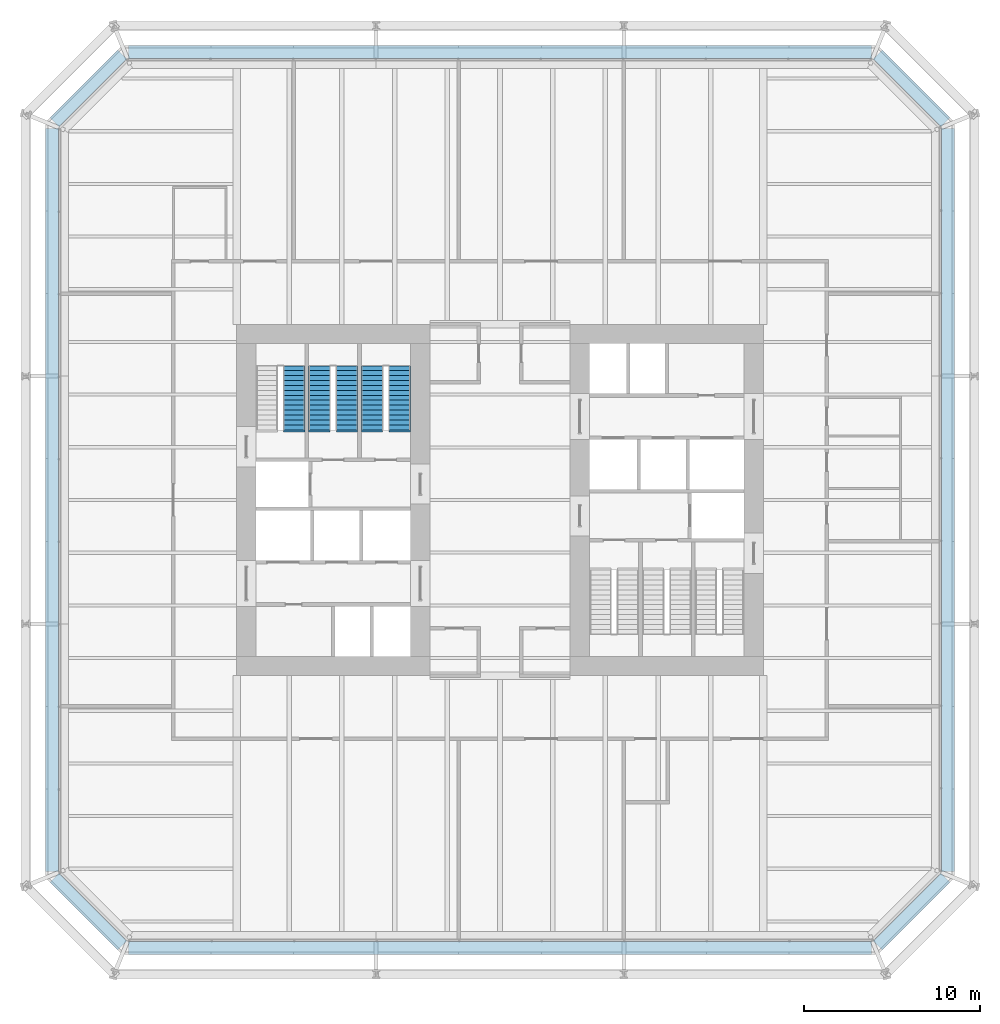
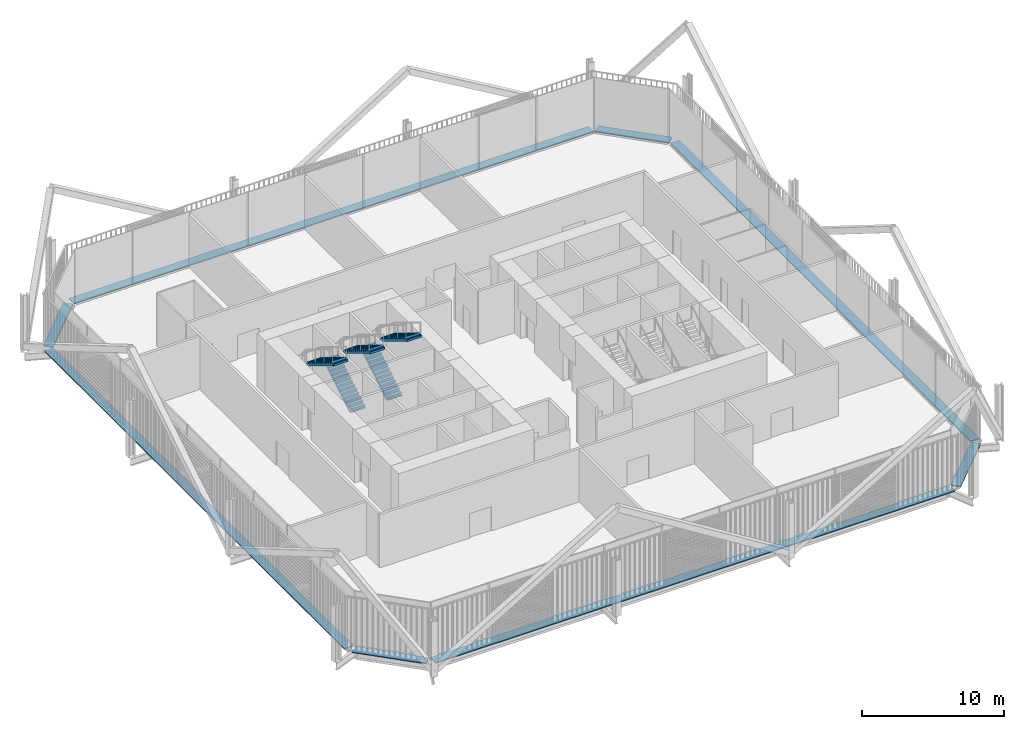
# One storey, part 21 of 22: 8 discrete accessories, 5 stair flights, 3 elements without a shape of their own.
"""IFC4 building model written with IfcOpenShell, lengths in metres."""

from ifc_helpers import new_model, si_unit, direction, frame, origin, origin_2d, place, context, subcontext, project, spatial, polyline, rectangle, outline, extrude, material, type_object, element, aggregate, save


model = new_model("IFC4")

# Units and contexts
model_context = context("Model", 3, precision=1e-05, world=origin(), true_north=direction((0.0, 1.0)))
body_context = subcontext(model_context, "Body", "Model", "MODEL_VIEW")
ifc_project = project(units=[si_unit("LENGTHUNIT", "METRE"), si_unit("AREAUNIT", "SQUARE_METRE"), si_unit("VOLUMEUNIT", "CUBIC_METRE"), si_unit("PLANEANGLEUNIT", "RADIAN"), si_unit("MASSUNIT", "GRAM", prefix="KILO")], contexts=[model_context])

# Site, building, storey
site_placement = place(None, origin())
site = spatial("IfcSite", under=ifc_project, at=site_placement, CompositionType="ELEMENT")
building_placement = place(site_placement, origin())
building = spatial("IfcBuilding", under=site, at=building_placement, Name="Millrace Tower", CompositionType="ELEMENT")
storey_placement = place(building_placement, frame((0.0, 0.0, 44.89990234375)))
storey = spatial("IfcBuildingStorey", under=building, at=storey_placement, Name="L10", CompositionType="ELEMENT", Elevation=44.89990234375)

# Stair, stair flight
ifc_material_1 = material(Name="Concrete C35", Category="concrete")
stair_type = type_object("IfcStairType", Name="Exit stair", PredefinedType="HALF_TURN_STAIR", material=ifc_material_1)
placement = place(storey_placement, origin())
stair_1 = element("IfcStair", 1, at=placement, inside=storey, type_object=stair_type, Name="Stair 1 W L10", PredefinedType="HALF_TURN_STAIR")
ifc_material_2 = material(Name="Concrete C35", Category="concrete")
stair_flight_type = type_object("IfcStairFlightType", Name="Exit stair flight", PredefinedType="STRAIGHT", material=ifc_material_2)
stair_flight_1_placement = place(storey_placement, frame((-11.7099609375, 7.639892578125, 2.400146484375), z_axis=(0.0, 0.0, 1.0), x_axis=(0.0, -1.0, 0.0)))
stair_flight_1 = element("IfcStairFlight", 2, at=stair_flight_1_placement, type_object=stair_flight_type, Name="ST12 flight 2", NumberOfRisers=14, NumberOfTreads=13, PredefinedType="STRAIGHT", RiserHeight=0.171428571, TreadLength=0.28, context=body_context, shape_type="SweptSolid", body=[
    extrude(outline(polyline([(-0.1201171875, -0.0400390625), (-0.1201171875, 0.0), (0.0, 0.0), (0.0, 0.17138671875), (0.280029296875, 0.17138671875), (0.280029296875, 0.3427734375), (0.56005859375, 0.3427734375), (0.56005859375, 0.514404296875), (0.840087890625, 0.514404296875), (0.840087890625, 0.685791015625), (1.1201171875, 0.685791015625), (1.1201171875, 0.857177734375), (1.39990234375, 0.857177734375), (1.39990234375, 1.028564453125), (1.679931640625, 1.028564453125), (1.679931640625, 1.199951171875), (1.9599609375, 1.199951171875), (1.9599609375, 1.371337890625), (2.239990234375, 1.371337890625), (2.239990234375, 1.54296875), (2.52001953125, 1.54296875), (2.52001953125, 1.71435546875), (2.800048828125, 1.71435546875), (2.800048828125, 1.8857421875), (3.080078125, 1.8857421875), (3.080078125, 2.05712890625), (3.360107421875, 2.05712890625), (3.360107421875, 2.228515625), (3.639892578125, 2.228515625), (3.639892578125, 2.24853515625), (3.760009765625, 2.24853515625), (3.760009765625, 2.052734375), (3.639892578125, 2.052734375), (0.287109375, 0.0), (0.287109375, -0.0400390625), (-0.1201171875, -0.0400390625)])), frame((0.0, 0.60986328125, 0.0), z_axis=(0.0, -1.0, 0.0), x_axis=(1.0, 0.0, 0.0)), (0.0, 0.0, 1.0), 1.219970703125),
])
aggregate(stair_1, [stair_flight_1])

# Stair, stair flights
stair_2 = element("IfcStair", 3, at=placement, inside=storey, type_object=stair_type, Name="Stair 2 W L10", PredefinedType="HALF_TURN_STAIR")
stair_flight_2_placement = place(storey_placement, frame((-10.2900390625, 4.0, 0.0), z_axis=(0.0, 0.0, 1.0), x_axis=(0.0, 1.0, 0.0)))
stair_flight_2 = element("IfcStairFlight", 4, at=stair_flight_2_placement, type_object=stair_flight_type, Name="ST12 flight 1", NumberOfRisers=14, NumberOfTreads=13, PredefinedType="STRAIGHT", RiserHeight=0.171428571, TreadLength=0.28, context=body_context, shape_type="SweptSolid", body=[
    extrude(outline(polyline([(-0.1201171875, -0.0400390625), (-0.1201171875, 0.0), (0.0, 0.0), (0.0, 0.17138671875), (0.280029296875, 0.17138671875), (0.280029296875, 0.3427734375), (0.56005859375, 0.3427734375), (0.56005859375, 0.514404296875), (0.840087890625, 0.514404296875), (0.840087890625, 0.685791015625), (1.1201171875, 0.685791015625), (1.1201171875, 0.857177734375), (1.39990234375, 0.857177734375), (1.39990234375, 1.028564453125), (1.679931640625, 1.028564453125), (1.679931640625, 1.199951171875), (1.9599609375, 1.199951171875), (1.9599609375, 1.371337890625), (2.239990234375, 1.371337890625), (2.239990234375, 1.54296875), (2.52001953125, 1.54296875), (2.52001953125, 1.71435546875), (2.800048828125, 1.71435546875), (2.800048828125, 1.8857421875), (3.080078125, 1.8857421875), (3.080078125, 2.05712890625), (3.360107421875, 2.05712890625), (3.360107421875, 2.228515625), (3.639892578125, 2.228515625), (3.639892578125, 2.24853515625), (3.760009765625, 2.24853515625), (3.760009765625, 2.052734375), (3.639892578125, 2.052734375), (0.287109375, 0.0), (0.287109375, -0.0400390625), (-0.1201171875, -0.0400390625)])), frame((0.0, 0.60986328125, 0.0), z_axis=(0.0, -1.0, 0.0), x_axis=(1.0, 0.0, 0.0)), (0.0, 0.0, 1.0), 1.219970703125),
])
stair_flight_3_placement = place(storey_placement, frame((-8.7099609375, 7.639892578125, 2.400146484375), z_axis=(0.0, 0.0, 1.0), x_axis=(0.0, -1.0, 0.0)))
stair_flight_3 = element("IfcStairFlight", 5, at=stair_flight_3_placement, type_object=stair_flight_type, Name="ST12 flight 2", NumberOfRisers=14, NumberOfTreads=13, PredefinedType="STRAIGHT", RiserHeight=0.171428571, TreadLength=0.28, context=body_context, shape_type="SweptSolid", body=[
    extrude(outline(polyline([(-0.1201171875, -0.0400390625), (-0.1201171875, 0.0), (0.0, 0.0), (0.0, 0.17138671875), (0.280029296875, 0.17138671875), (0.280029296875, 0.3427734375), (0.56005859375, 0.3427734375), (0.56005859375, 0.514404296875), (0.840087890625, 0.514404296875), (0.840087890625, 0.685791015625), (1.1201171875, 0.685791015625), (1.1201171875, 0.857177734375), (1.39990234375, 0.857177734375), (1.39990234375, 1.028564453125), (1.679931640625, 1.028564453125), (1.679931640625, 1.199951171875), (1.9599609375, 1.199951171875), (1.9599609375, 1.371337890625), (2.239990234375, 1.371337890625), (2.239990234375, 1.54296875), (2.52001953125, 1.54296875), (2.52001953125, 1.71435546875), (2.800048828125, 1.71435546875), (2.800048828125, 1.8857421875), (3.080078125, 1.8857421875), (3.080078125, 2.05712890625), (3.360107421875, 2.05712890625), (3.360107421875, 2.228515625), (3.639892578125, 2.228515625), (3.639892578125, 2.24853515625), (3.760009765625, 2.24853515625), (3.760009765625, 2.052734375), (3.639892578125, 2.052734375), (0.287109375, 0.0), (0.287109375, -0.0400390625), (-0.1201171875, -0.0400390625)])), frame((0.0, 0.60986328125, 0.0), z_axis=(0.0, -1.0, 0.0), x_axis=(1.0, 0.0, 0.0)), (0.0, 0.0, 1.0), 1.219970703125),
])
aggregate(stair_2, [stair_flight_2, stair_flight_3])

stair_3 = element("IfcStair", 6, at=placement, inside=storey, type_object=stair_type, Name="Stair 3 W L10", PredefinedType="HALF_TURN_STAIR")
stair_flight_4_placement = place(storey_placement, frame((-7.2900390625, 4.0, 0.0), z_axis=(0.0, 0.0, 1.0), x_axis=(0.0, 1.0, 0.0)))
stair_flight_4 = element("IfcStairFlight", 7, at=stair_flight_4_placement, type_object=stair_flight_type, Name="ST12 flight 1", NumberOfRisers=14, NumberOfTreads=13, PredefinedType="STRAIGHT", RiserHeight=0.171428571, TreadLength=0.28, context=body_context, shape_type="SweptSolid", body=[
    extrude(outline(polyline([(-0.1201171875, -0.0400390625), (-0.1201171875, 0.0), (0.0, 0.0), (0.0, 0.17138671875), (0.280029296875, 0.17138671875), (0.280029296875, 0.3427734375), (0.56005859375, 0.3427734375), (0.56005859375, 0.514404296875), (0.840087890625, 0.514404296875), (0.840087890625, 0.685791015625), (1.1201171875, 0.685791015625), (1.1201171875, 0.857177734375), (1.39990234375, 0.857177734375), (1.39990234375, 1.028564453125), (1.679931640625, 1.028564453125), (1.679931640625, 1.199951171875), (1.9599609375, 1.199951171875), (1.9599609375, 1.371337890625), (2.239990234375, 1.371337890625), (2.239990234375, 1.54296875), (2.52001953125, 1.54296875), (2.52001953125, 1.71435546875), (2.800048828125, 1.71435546875), (2.800048828125, 1.8857421875), (3.080078125, 1.8857421875), (3.080078125, 2.05712890625), (3.360107421875, 2.05712890625), (3.360107421875, 2.228515625), (3.639892578125, 2.228515625), (3.639892578125, 2.24853515625), (3.760009765625, 2.24853515625), (3.760009765625, 2.052734375), (3.639892578125, 2.052734375), (0.287109375, 0.0), (0.287109375, -0.0400390625), (-0.1201171875, -0.0400390625)])), frame((0.0, 0.60986328125, 0.0), z_axis=(0.0, -1.0, 0.0), x_axis=(1.0, 0.0, 0.0)), (0.0, 0.0, 1.0), 1.219970703125),
])
stair_flight_5_placement = place(storey_placement, frame((-5.7099609375, 7.639892578125, 2.400146484375), z_axis=(0.0, 0.0, 1.0), x_axis=(0.0, -1.0, 0.0)))
stair_flight_5 = element("IfcStairFlight", 8, at=stair_flight_5_placement, type_object=stair_flight_type, Name="ST12 flight 2", NumberOfRisers=14, NumberOfTreads=13, PredefinedType="STRAIGHT", RiserHeight=0.171428571, TreadLength=0.28, context=body_context, shape_type="SweptSolid", body=[
    extrude(outline(polyline([(-0.1201171875, -0.0400390625), (-0.1201171875, 0.0), (0.0, 0.0), (0.0, 0.17138671875), (0.280029296875, 0.17138671875), (0.280029296875, 0.3427734375), (0.56005859375, 0.3427734375), (0.56005859375, 0.514404296875), (0.840087890625, 0.514404296875), (0.840087890625, 0.685791015625), (1.1201171875, 0.685791015625), (1.1201171875, 0.857177734375), (1.39990234375, 0.857177734375), (1.39990234375, 1.028564453125), (1.679931640625, 1.028564453125), (1.679931640625, 1.199951171875), (1.9599609375, 1.199951171875), (1.9599609375, 1.371337890625), (2.239990234375, 1.371337890625), (2.239990234375, 1.54296875), (2.52001953125, 1.54296875), (2.52001953125, 1.71435546875), (2.800048828125, 1.71435546875), (2.800048828125, 1.8857421875), (3.080078125, 1.8857421875), (3.080078125, 2.05712890625), (3.360107421875, 2.05712890625), (3.360107421875, 2.228515625), (3.639892578125, 2.228515625), (3.639892578125, 2.24853515625), (3.760009765625, 2.24853515625), (3.760009765625, 2.052734375), (3.639892578125, 2.052734375), (0.287109375, 0.0), (0.287109375, -0.0400390625), (-0.1201171875, -0.0400390625)])), frame((0.0, 0.60986328125, 0.0), z_axis=(0.0, -1.0, 0.0), x_axis=(1.0, 0.0, 0.0)), (0.0, 0.0, 1.0), 1.219970703125),
])
aggregate(stair_3, [stair_flight_4, stair_flight_5])

# Discrete accessories
ifc_material_3 = material(Name="Stainless steel ASTM A240 type 316", Category="steel")
discrete_accessory_type = type_object("IfcDiscreteAccessoryType", Name="Thermally broken screen support rail", PredefinedType="BRACKET", material=ifc_material_3)
discrete_accessory_1_placement = place(storey_placement, frame((-23.435546875, -23.435546875, 0.0), z_axis=(0.0, 0.0, 1.0), x_axis=(0.707106781187, -0.707106781187, 0.0)))
element("IfcDiscreteAccessory", 9, at=discrete_accessory_1_placement, inside=storey, type_object=discrete_accessory_type, Name="Thermally broken screen support rail A-F01 L10 1", PredefinedType="BRACKET", context=body_context, shape_type="SweptSolid", body=[
    extrude(rectangle(XDim=5.44482421875, YDim=0.719970703125, at=origin_2d()), origin(), (0.0, 0.0, 1.0), 0.10009765625),
])
discrete_accessory_2_placement = place(storey_placement, frame((0.0, -25.510009765625, 0.0), z_axis=(0.0, 0.0, 1.0), x_axis=(1.0, 0.0, 0.0)))
element("IfcDiscreteAccessory", 10, at=discrete_accessory_2_placement, inside=storey, type_object=discrete_accessory_type, Name="Thermally broken screen support rail A-F02 L10 1", PredefinedType="BRACKET", context=body_context, shape_type="SweptSolid", body=[
    extrude(rectangle(XDim=42.300048828125, YDim=0.719970703125, at=origin_2d()), origin(), (0.0, 0.0, 1.0), 0.10009765625),
])
discrete_accessory_3_placement = place(storey_placement, frame((23.435546875, -23.435546875, 0.0), z_axis=(0.0, 0.0, 1.0), x_axis=(0.707106781187, 0.707106781187, 0.0)))
element("IfcDiscreteAccessory", 11, at=discrete_accessory_3_placement, inside=storey, type_object=discrete_accessory_type, Name="Thermally broken screen support rail A-F03 L10 1", PredefinedType="BRACKET", context=body_context, shape_type="SweptSolid", body=[
    extrude(rectangle(XDim=5.44482421875, YDim=0.719970703125, at=origin_2d()), origin(), (0.0, 0.0, 1.0), 0.10009765625),
])
discrete_accessory_4_placement = place(storey_placement, frame((25.510009765625, 0.0, 0.0), z_axis=(0.0, 0.0, 1.0), x_axis=(0.0, 1.0, 0.0)))
element("IfcDiscreteAccessory", 12, at=discrete_accessory_4_placement, inside=storey, type_object=discrete_accessory_type, Name="Thermally broken screen support rail A-F04 L10 1", PredefinedType="BRACKET", context=body_context, shape_type="SweptSolid", body=[
    extrude(rectangle(XDim=42.300048828125, YDim=0.719970703125, at=origin_2d()), origin(), (0.0, 0.0, 1.0), 0.10009765625),
])
discrete_accessory_5_placement = place(storey_placement, frame((23.435546875, 23.435546875, 0.0), z_axis=(0.0, 0.0, 1.0), x_axis=(-0.707106781187, 0.707106781187, 0.0)))
element("IfcDiscreteAccessory", 13, at=discrete_accessory_5_placement, inside=storey, type_object=discrete_accessory_type, Name="Thermally broken screen support rail A-F05 L10 1", PredefinedType="BRACKET", context=body_context, shape_type="SweptSolid", body=[
    extrude(rectangle(XDim=5.44482421875, YDim=0.719970703125, at=origin_2d()), origin(), (0.0, 0.0, 1.0), 0.10009765625),
])
discrete_accessory_6_placement = place(storey_placement, frame((0.0, 25.510009765625, 0.0), z_axis=(0.0, 0.0, 1.0), x_axis=(-1.0, 0.0, 0.0)))
element("IfcDiscreteAccessory", 14, at=discrete_accessory_6_placement, inside=storey, type_object=discrete_accessory_type, Name="Thermally broken screen support rail A-F06 L10 1", PredefinedType="BRACKET", context=body_context, shape_type="SweptSolid", body=[
    extrude(rectangle(XDim=42.300048828125, YDim=0.719970703125, at=origin_2d()), origin(), (0.0, 0.0, 1.0), 0.10009765625),
])
discrete_accessory_7_placement = place(storey_placement, frame((-23.435546875, 23.435546875, 0.0), z_axis=(0.0, 0.0, 1.0), x_axis=(-0.707106781187, -0.707106781187, 0.0)))
element("IfcDiscreteAccessory", 15, at=discrete_accessory_7_placement, inside=storey, type_object=discrete_accessory_type, Name="Thermally broken screen support rail A-F07 L10 1", PredefinedType="BRACKET", context=body_context, shape_type="SweptSolid", body=[
    extrude(rectangle(XDim=5.44482421875, YDim=0.719970703125, at=origin_2d()), origin(), (0.0, 0.0, 1.0), 0.10009765625),
])
discrete_accessory_8_placement = place(storey_placement, frame((-25.510009765625, 0.0, 0.0), z_axis=(0.0, 0.0, 1.0), x_axis=(0.0, -1.0, 0.0)))
element("IfcDiscreteAccessory", 16, at=discrete_accessory_8_placement, inside=storey, type_object=discrete_accessory_type, Name="Thermally broken screen support rail A-F08 L10 1", PredefinedType="BRACKET", context=body_context, shape_type="SweptSolid", body=[
    extrude(rectangle(XDim=42.300048828125, YDim=0.719970703125, at=origin_2d()), origin(), (0.0, 0.0, 1.0), 0.10009765625),
])

save(model, "model.ifc")
